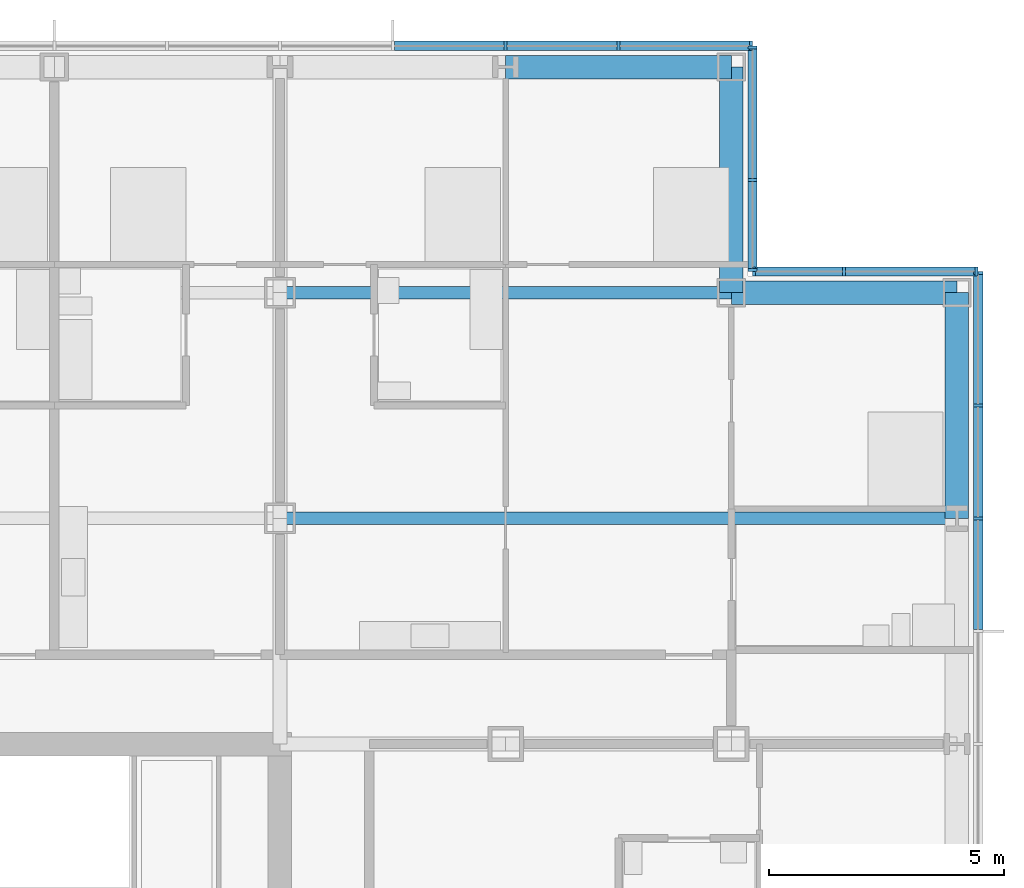
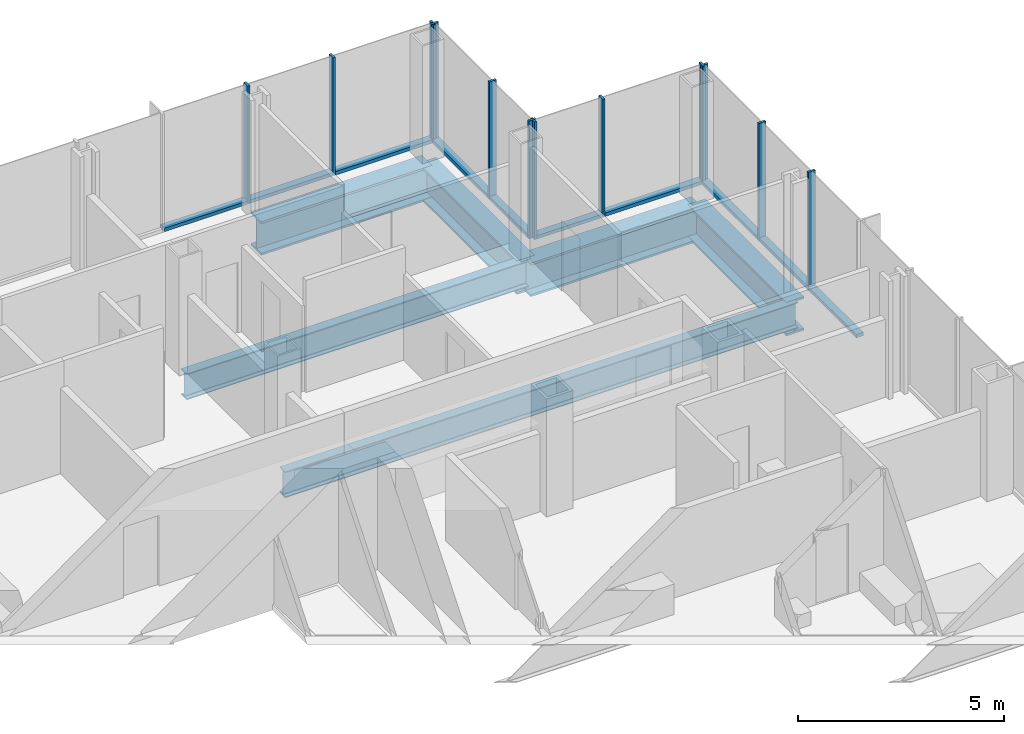
# One storey, part 11 of 21: 22 members, 6 beams, 4 elements without a shape of their own.
"""IFC4 building model written with IfcOpenShell, lengths in metres."""

from ifc_helpers import new_model, si_unit, direction, frame, origin, origin_2d, place, context, subcontext, project, spatial, rectangle, i_section, extrude, material, material_profile, profile_set, type_object, element, aggregate, save


model = new_model("IFC4")

# Units and contexts
model_context = context("Model", 3, precision=1e-05, world=origin(), true_north=direction((0.0, 1.0)))
body_context = subcontext(model_context, "Body", "Model", "MODEL_VIEW")
ifc_project = project(units=[si_unit("LENGTHUNIT", "METRE"), si_unit("AREAUNIT", "SQUARE_METRE"), si_unit("VOLUMEUNIT", "CUBIC_METRE"), si_unit("PLANEANGLEUNIT", "RADIAN"), si_unit("MASSUNIT", "GRAM", prefix="KILO")], contexts=[model_context])

# Site, building, storey
site_placement = place(None, origin())
site = spatial("IfcSite", under=ifc_project, at=site_placement, CompositionType="ELEMENT")
building_placement = place(site_placement, origin())
building = spatial("IfcBuilding", under=site, at=building_placement, Name="Kvirike Care Tower", CompositionType="ELEMENT")
storey_placement = place(building_placement, frame((0.0, 0.0, 55.0)))
storey = spatial("IfcBuildingStorey", under=building, at=storey_placement, Name="L14", CompositionType="ELEMENT", Elevation=55.0)

# Curtain wall, members
ifc_material_1 = material(Name="Anodised aluminium stick system", Category="aluminium")
curtain_wall_type = type_object("IfcCurtainWallType", Name="CW-A STICK CURTAIN WALL", PredefinedType="NOTDEFINED", material=ifc_material_1)
curtain_wall_1_placement = place(storey_placement, origin())
curtain_wall_1 = element("IfcCurtainWall", 1, at=curtain_wall_1_placement, inside=storey, type_object=curtain_wall_type, Name="Curtain wall L14 face 7", PredefinedType="NOTDEFINED")
ifc_material_2 = material(Name="Bronze anodised aluminium mullion", Category="aluminium")
ifc_material_profile_1 = material_profile(ifc_material_2, rectangle(XDim=0.06494140625, YDim=0.199951171875, at=origin_2d()), Name="CW-A MULLION 65x200")
ifc_profile_set_1 = profile_set([ifc_material_profile_1], Name="Bronze anodised aluminium mullion")
member_type_1 = type_object("IfcMemberType", Name="CW-A MULLION 65x200", PredefinedType="MULLION", material=ifc_profile_set_1)
member_1_placement = place(storey_placement, frame((43.64990234375, 48.0, 0.0), z_axis=(0.0, 0.0, 1.0), x_axis=(0.0, 1.0, 0.0)))
member_1 = element("IfcMember", 2, at=member_1_placement, type_object=member_type_1, Name="CW-A mullion L14 face 7.13", PredefinedType="MULLION", context=body_context, shape_type="SweptSolid", body=[
    extrude(rectangle(XDim=0.06494140625, YDim=0.199951171875, at=origin_2d()), origin(), (0.0, 0.0, 1.0), 3.5),
])
member_2_placement = place(storey_placement, frame((43.64990234375, 50.39990234375, 0.0), z_axis=(0.0, 0.0, 1.0), x_axis=(0.0, 1.0, 0.0)))
member_2 = element("IfcMember", 3, at=member_2_placement, type_object=member_type_1, Name="CW-A mullion L14 face 7.14", PredefinedType="MULLION", context=body_context, shape_type="SweptSolid", body=[
    extrude(rectangle(XDim=0.06494140625, YDim=0.199951171875, at=origin_2d()), origin(), (0.0, 0.0, 1.0), 3.5),
])
member_3_placement = place(storey_placement, frame((43.64990234375, 53.217529296875, 0.0), z_axis=(0.0, 0.0, 1.0), x_axis=(0.0, 1.0, 0.0)))
member_3 = element("IfcMember", 4, at=member_3_placement, type_object=member_type_1, Name="CW-A mullion L14 face 7.15", PredefinedType="MULLION", context=body_context, shape_type="SweptSolid", body=[
    extrude(rectangle(XDim=0.06494140625, YDim=0.199951171875, at=origin_2d()), origin(), (0.0, 0.0, 1.0), 3.5),
])

curtain_wall_2_placement = place(storey_placement, origin())
curtain_wall_2 = element("IfcCurtainWall", 5, at=curtain_wall_2_placement, inside=storey, type_object=curtain_wall_type, Name="Curtain wall L14 face 8", PredefinedType="NOTDEFINED")
member_4_placement = place(storey_placement, frame((43.617431640625, 53.25, 0.0), z_axis=(0.0, 0.0, 1.0), x_axis=(-1.0, 0.0, 0.0)))
member_4 = element("IfcMember", 6, at=member_4_placement, type_object=member_type_1, Name="CW-A mullion L14 face 8.1", PredefinedType="MULLION", context=body_context, shape_type="SweptSolid", body=[
    extrude(rectangle(XDim=0.06494140625, YDim=0.199951171875, at=origin_2d()), origin(), (0.0, 0.0, 1.0), 3.5),
])
member_5_placement = place(storey_placement, frame((40.800048828125, 53.25, 0.0), z_axis=(0.0, 0.0, 1.0), x_axis=(-1.0, 0.0, 0.0)))
member_5 = element("IfcMember", 7, at=member_5_placement, type_object=member_type_1, Name="CW-A mullion L14 face 8.2", PredefinedType="MULLION", context=body_context, shape_type="SweptSolid", body=[
    extrude(rectangle(XDim=0.06494140625, YDim=0.199951171875, at=origin_2d()), origin(), (0.0, 0.0, 1.0), 3.5),
])
member_6_placement = place(storey_placement, frame((38.882568359375, 53.25, 0.0), z_axis=(0.0, 0.0, 1.0), x_axis=(-1.0, 0.0, 0.0)))
member_6 = element("IfcMember", 8, at=member_6_placement, type_object=member_type_1, Name="CW-A mullion L14 face 8.3", PredefinedType="MULLION", context=body_context, shape_type="SweptSolid", body=[
    extrude(rectangle(XDim=0.06494140625, YDim=0.199951171875, at=origin_2d()), origin(), (0.0, 0.0, 1.0), 3.5),
])

curtain_wall_3_placement = place(storey_placement, origin())
curtain_wall_3 = element("IfcCurtainWall", 9, at=curtain_wall_3_placement, inside=storey, type_object=curtain_wall_type, Name="Curtain wall L14 face 9", PredefinedType="NOTDEFINED")
member_7_placement = place(storey_placement, frame((38.85009765625, 53.282470703125, 0.0), z_axis=(0.0, 0.0, 1.0), x_axis=(0.0, 1.0, 0.0)))
member_7 = element("IfcMember", 10, at=member_7_placement, type_object=member_type_1, Name="CW-A mullion L14 face 9.1", PredefinedType="MULLION", context=body_context, shape_type="SweptSolid", body=[
    extrude(rectangle(XDim=0.06494140625, YDim=0.199951171875, at=origin_2d()), origin(), (0.0, 0.0, 1.0), 3.5),
])
member_8_placement = place(storey_placement, frame((38.85009765625, 55.199951171875, 0.0), z_axis=(0.0, 0.0, 1.0), x_axis=(0.0, 1.0, 0.0)))
member_8 = element("IfcMember", 11, at=member_8_placement, type_object=member_type_1, Name="CW-A mullion L14 face 9.2", PredefinedType="MULLION", context=body_context, shape_type="SweptSolid", body=[
    extrude(rectangle(XDim=0.06494140625, YDim=0.199951171875, at=origin_2d()), origin(), (0.0, 0.0, 1.0), 3.5),
])
member_9_placement = place(storey_placement, frame((38.85009765625, 58.017578125, 0.0), z_axis=(0.0, 0.0, 1.0), x_axis=(0.0, 1.0, 0.0)))
member_9 = element("IfcMember", 12, at=member_9_placement, type_object=member_type_1, Name="CW-A mullion L14 face 9.3", PredefinedType="MULLION", context=body_context, shape_type="SweptSolid", body=[
    extrude(rectangle(XDim=0.06494140625, YDim=0.199951171875, at=origin_2d()), origin(), (0.0, 0.0, 1.0), 3.5),
])

curtain_wall_4_placement = place(storey_placement, origin())
curtain_wall_4 = element("IfcCurtainWall", 13, at=curtain_wall_4_placement, inside=storey, type_object=curtain_wall_type, Name="Curtain wall L14 face 10", PredefinedType="NOTDEFINED")
member_10_placement = place(storey_placement, frame((38.8173828125, 58.050048828125, 0.0), z_axis=(0.0, 0.0, 1.0), x_axis=(-1.0, 0.0, 0.0)))
member_10 = element("IfcMember", 14, at=member_10_placement, type_object=member_type_1, Name="CW-A mullion L14 face 10.1", PredefinedType="MULLION", context=body_context, shape_type="SweptSolid", body=[
    extrude(rectangle(XDim=0.06494140625, YDim=0.199951171875, at=origin_2d()), origin(), (0.0, 0.0, 1.0), 3.5),
])
member_11_placement = place(storey_placement, frame((36.0, 58.050048828125, 0.0), z_axis=(0.0, 0.0, 1.0), x_axis=(-1.0, 0.0, 0.0)))
member_11 = element("IfcMember", 15, at=member_11_placement, type_object=member_type_1, Name="CW-A mullion L14 face 10.2", PredefinedType="MULLION", context=body_context, shape_type="SweptSolid", body=[
    extrude(rectangle(XDim=0.06494140625, YDim=0.199951171875, at=origin_2d()), origin(), (0.0, 0.0, 1.0), 3.5),
])
member_12_placement = place(storey_placement, frame((33.60009765625, 58.050048828125, 0.0), z_axis=(0.0, 0.0, 1.0), x_axis=(-1.0, 0.0, 0.0)))
member_12 = element("IfcMember", 16, at=member_12_placement, type_object=member_type_1, Name="CW-A mullion L14 face 10.3", PredefinedType="MULLION", context=body_context, shape_type="SweptSolid", body=[
    extrude(rectangle(XDim=0.06494140625, YDim=0.199951171875, at=origin_2d()), origin(), (0.0, 0.0, 1.0), 3.5),
])

# Member
ifc_material_3 = material(Name="Bronze anodised aluminium transom", Category="aluminium")
ifc_material_profile_2 = material_profile(ifc_material_3, rectangle(XDim=0.199951171875, YDim=0.10009765625, at=origin_2d()), Name="CW-A TRANSOM 200x100")
ifc_profile_set_2 = profile_set([ifc_material_profile_2], Name="Bronze anodised aluminium transom")
member_type_2 = type_object("IfcMemberType", Name="CW-A TRANSOM 200x100", PredefinedType="USERDEFINED", material=ifc_profile_set_2)
member_13_placement = place(storey_placement, frame((43.64990234375, 45.632568359375, 0.050048828125), z_axis=(0.0, 1.0, 0.0), x_axis=(-1.0, 0.0, 0.0)))
member_13 = element("IfcMember", 17, at=member_13_placement, type_object=member_type_2, Name="CW-A sill transom L14 face 7.12", ObjectType="TRANSOM", PredefinedType="USERDEFINED", context=body_context, shape_type="SweptSolid", body=[
    extrude(rectangle(XDim=0.199951171875, YDim=0.10009765625, at=origin_2d()), origin(), (0.0, 0.0, 1.0), 2.3349609375),
])

member_14_placement = place(storey_placement, frame((43.64990234375, 48.032470703125, 0.050048828125), z_axis=(0.0, 1.0, 0.0), x_axis=(-1.0, 0.0, 0.0)))
member_14 = element("IfcMember", 18, at=member_14_placement, type_object=member_type_2, Name="CW-A sill transom L14 face 7.13", ObjectType="TRANSOM", PredefinedType="USERDEFINED", context=body_context, shape_type="SweptSolid", body=[
    extrude(rectangle(XDim=0.199951171875, YDim=0.10009765625, at=origin_2d()), origin(), (0.0, 0.0, 1.0), 2.3349609375),
])

member_15_placement = place(storey_placement, frame((43.64990234375, 50.4326171875, 0.050048828125), z_axis=(0.0, 1.0, 0.0), x_axis=(-1.0, 0.0, 0.0)))
member_15 = element("IfcMember", 19, at=member_15_placement, type_object=member_type_2, Name="CW-A sill transom L14 face 7.14", ObjectType="TRANSOM", PredefinedType="USERDEFINED", context=body_context, shape_type="SweptSolid", body=[
    extrude(rectangle(XDim=0.199951171875, YDim=0.10009765625, at=origin_2d()), origin(), (0.0, 0.0, 1.0), 2.75244140625),
])

aggregate(curtain_wall_1, [member_1, member_2, member_3, member_13, member_14, member_15])

member_16_placement = place(storey_placement, frame((43.5849609375, 53.25, 0.050048828125), z_axis=(-1.0, 0.0, 0.0), x_axis=(0.0, -1.0, 0.0)))
member_16 = element("IfcMember", 20, at=member_16_placement, type_object=member_type_2, Name="CW-A sill transom L14 face 8.1", ObjectType="TRANSOM", PredefinedType="USERDEFINED", context=body_context, shape_type="SweptSolid", body=[
    extrude(rectangle(XDim=0.199951171875, YDim=0.10009765625, at=origin_2d()), origin(), (0.0, 0.0, 1.0), 2.75244140625),
])

member_17_placement = place(storey_placement, frame((40.767578125, 53.25, 0.050048828125), z_axis=(-1.0, 0.0, 0.0), x_axis=(0.0, -1.0, 0.0)))
member_17 = element("IfcMember", 21, at=member_17_placement, type_object=member_type_2, Name="CW-A sill transom L14 face 8.2", ObjectType="TRANSOM", PredefinedType="USERDEFINED", context=body_context, shape_type="SweptSolid", body=[
    extrude(rectangle(XDim=0.199951171875, YDim=0.10009765625, at=origin_2d()), origin(), (0.0, 0.0, 1.0), 1.8525390625),
])

aggregate(curtain_wall_2, [member_4, member_5, member_6, member_16, member_17])

member_18_placement = place(storey_placement, frame((38.85009765625, 53.31494140625, 0.050048828125), z_axis=(0.0, 1.0, 0.0), x_axis=(-1.0, 0.0, 0.0)))
member_18 = element("IfcMember", 22, at=member_18_placement, type_object=member_type_2, Name="CW-A sill transom L14 face 9.1", ObjectType="TRANSOM", PredefinedType="USERDEFINED", context=body_context, shape_type="SweptSolid", body=[
    extrude(rectangle(XDim=0.199951171875, YDim=0.10009765625, at=origin_2d()), origin(), (0.0, 0.0, 1.0), 1.8525390625),
])

member_19_placement = place(storey_placement, frame((38.85009765625, 55.232421875, 0.050048828125), z_axis=(0.0, 1.0, 0.0), x_axis=(-1.0, 0.0, 0.0)))
member_19 = element("IfcMember", 23, at=member_19_placement, type_object=member_type_2, Name="CW-A sill transom L14 face 9.2", ObjectType="TRANSOM", PredefinedType="USERDEFINED", context=body_context, shape_type="SweptSolid", body=[
    extrude(rectangle(XDim=0.199951171875, YDim=0.10009765625, at=origin_2d()), origin(), (0.0, 0.0, 1.0), 2.752685546875),
])

aggregate(curtain_wall_3, [member_7, member_8, member_9, member_18, member_19])

member_20_placement = place(storey_placement, frame((38.784912109375, 58.050048828125, 0.050048828125), z_axis=(-1.0, 0.0, 0.0), x_axis=(0.0, -1.0, 0.0)))
member_20 = element("IfcMember", 24, at=member_20_placement, type_object=member_type_2, Name="CW-A sill transom L14 face 10.1", ObjectType="TRANSOM", PredefinedType="USERDEFINED", context=body_context, shape_type="SweptSolid", body=[
    extrude(rectangle(XDim=0.199951171875, YDim=0.10009765625, at=origin_2d()), origin(), (0.0, 0.0, 1.0), 2.75244140625),
])

member_21_placement = place(storey_placement, frame((35.967529296875, 58.050048828125, 0.050048828125), z_axis=(-1.0, 0.0, 0.0), x_axis=(0.0, -1.0, 0.0)))
member_21 = element("IfcMember", 25, at=member_21_placement, type_object=member_type_2, Name="CW-A sill transom L14 face 10.2", ObjectType="TRANSOM", PredefinedType="USERDEFINED", context=body_context, shape_type="SweptSolid", body=[
    extrude(rectangle(XDim=0.199951171875, YDim=0.10009765625, at=origin_2d()), origin(), (0.0, 0.0, 1.0), 2.3349609375),
])

member_22_placement = place(storey_placement, frame((33.5673828125, 58.050048828125, 0.050048828125), z_axis=(-1.0, 0.0, 0.0), x_axis=(0.0, -1.0, 0.0)))
member_22 = element("IfcMember", 26, at=member_22_placement, type_object=member_type_2, Name="CW-A sill transom L14 face 10.3", ObjectType="TRANSOM", PredefinedType="USERDEFINED", context=body_context, shape_type="SweptSolid", body=[
    extrude(rectangle(XDim=0.199951171875, YDim=0.10009765625, at=origin_2d()), origin(), (0.0, 0.0, 1.0), 2.3349609375),
])

aggregate(curtain_wall_4, [member_10, member_11, member_12, member_20, member_21, member_22])

# Beams
ifc_material_4 = material(Name="Steel S355", Category="steel")
ifc_material_profile_3 = material_profile(ifc_material_4, i_section(OverallWidth=0.26806640625, OverallDepth=0.77001953125, WebThickness=0.015625, FlangeThickness=0.025390625, FilletRadius=0.01708984375, at=origin_2d()), Name="IPE 750x196")
ifc_profile_set_3 = profile_set([ifc_material_profile_3], Name="Steel S355")
beam_type_1 = type_object("IfcBeamType", Name="FLOOR BEAM IPE 750x196", PredefinedType="BEAM", material=ifc_profile_set_3)
beam_1_placement = place(storey_placement, frame((28.800048828125, 48.0, -0.554931640625), z_axis=(1.0, 0.0, 0.0), x_axis=(0.0, 1.0, 0.0)))
element("IfcBeam", 27, at=beam_1_placement, inside=storey, type_object=beam_type_1, Name="Floor Beam L9-L12 L14", PredefinedType="BEAM", context=body_context, shape_type="SweptSolid", body=[
    extrude(i_section(OverallWidth=0.26806640625, OverallDepth=0.77001953125, WebThickness=0.015625, FlangeThickness=0.025390625, FilletRadius=0.01708984375, at=origin_2d()), origin(), (0.0, 0.0, 1.0), 14.39990234375),
])
beam_2_placement = place(storey_placement, frame((28.800048828125, 52.800048828125, -0.554931640625), z_axis=(1.0, 0.0, 0.0), x_axis=(0.0, 1.0, 0.0)))
element("IfcBeam", 28, at=beam_2_placement, inside=storey, type_object=beam_type_1, Name="Floor Beam M9-M11 L14", PredefinedType="BEAM", context=body_context, shape_type="SweptSolid", body=[
    extrude(i_section(OverallWidth=0.26806640625, OverallDepth=0.77001953125, WebThickness=0.015625, FlangeThickness=0.025390625, FilletRadius=0.01708984375, at=origin_2d()), origin(), (0.0, 0.0, 1.0), 9.599853515625),
])
ifc_material_5 = material(Name="Steel S355", Category="steel")
ifc_material_profile_4 = material_profile(ifc_material_5, i_section(OverallWidth=0.5, OverallDepth=1.0, WebThickness=0.030029296875, FlangeThickness=0.06005859375, at=origin_2d()), Name="PG 1000x500x30x60")
ifc_profile_set_4 = profile_set([ifc_material_profile_4], Name="Steel S355")
beam_type_2 = type_object("IfcBeamType", Name="SPANDREL PG 1000x500x30x60", PredefinedType="SPANDREL", material=ifc_profile_set_4)
beam_3_placement = place(storey_placement, frame((38.39990234375, 52.800048828125, -0.669921875), z_axis=(1.0, 0.0, 0.0), x_axis=(0.0, 1.0, 0.0)))
element("IfcBeam", 29, at=beam_3_placement, inside=storey, type_object=beam_type_2, Name="Spandrel M11-M12 L14", PredefinedType="SPANDREL", context=body_context, shape_type="SweptSolid", body=[
    extrude(i_section(OverallWidth=0.5, OverallDepth=1.0, WebThickness=0.030029296875, FlangeThickness=0.06005859375, at=origin_2d()), origin(), (0.0, 0.0, 1.0), 4.800048828125),
])
beam_4_placement = place(storey_placement, frame((33.60009765625, 57.60009765625, -0.669921875), z_axis=(1.0, 0.0, 0.0), x_axis=(0.0, 1.0, 0.0)))
element("IfcBeam", 30, at=beam_4_placement, inside=storey, type_object=beam_type_2, Name="Spandrel N10-N11 L14", PredefinedType="SPANDREL", context=body_context, shape_type="SweptSolid", body=[
    extrude(i_section(OverallWidth=0.5, OverallDepth=1.0, WebThickness=0.030029296875, FlangeThickness=0.06005859375, at=origin_2d()), origin(), (0.0, 0.0, 1.0), 4.7998046875),
])
for number, where, z_axis, x_axis, name in (
    (31, (38.39990234375, 52.800048828125, -0.669921875), (0.0, 1.0, 0.0), (-1.0, 0.0, 0.0), "Spandrel M11-N11 L14"),
    (32, (43.199951171875, 48.0, -0.669921875), (0.0, 1.0, 0.0), (-1.0, 0.0, 0.0), "Spandrel L12-M12 L14"),
):
    element("IfcBeam", number, at=place(storey_placement, frame(where, z_axis=z_axis, x_axis=x_axis)), inside=storey, type_object=beam_type_2, Name=name, PredefinedType="SPANDREL", context=body_context, shape_type="SweptSolid", body=[
        extrude(i_section(OverallWidth=0.5, OverallDepth=1.0, WebThickness=0.030029296875, FlangeThickness=0.06005859375, at=origin_2d()), origin(), (0.0, 0.0, 1.0), 4.800048828125),
    ])

save(model, "model.ifc")
